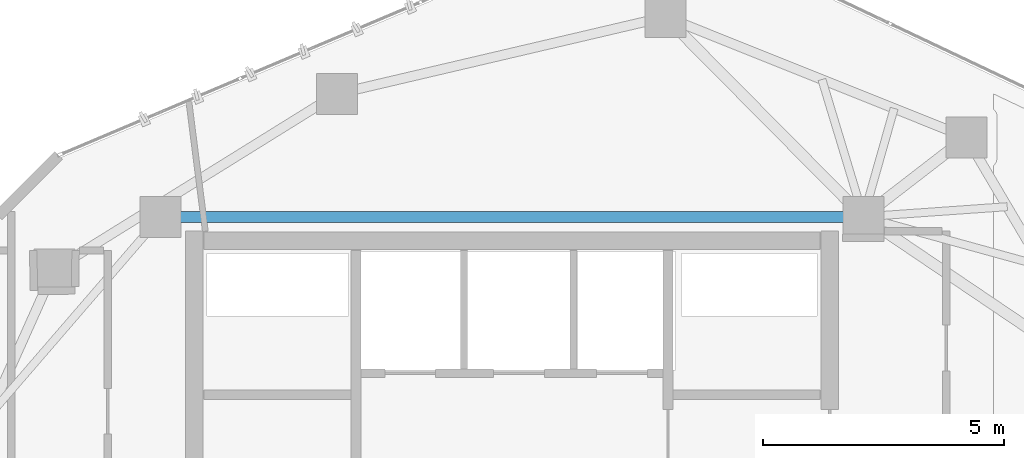
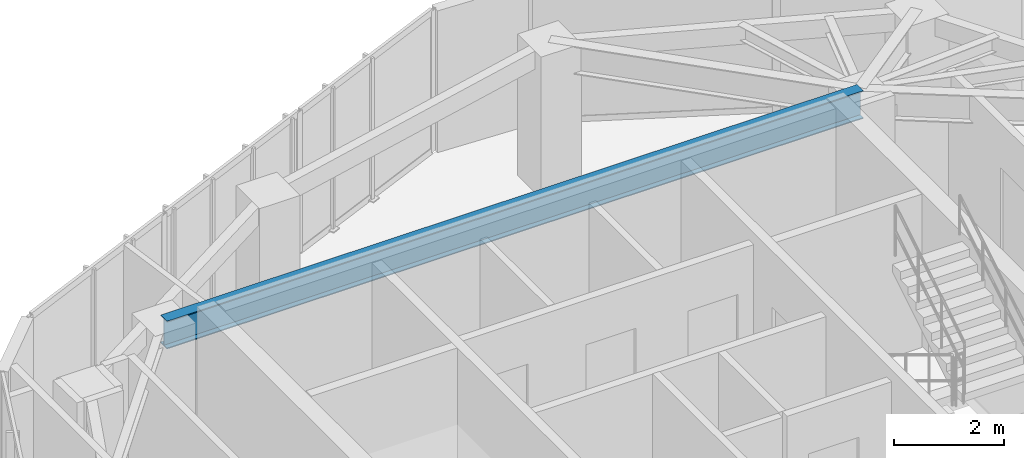
# One storey, part 10 of 20: 1 beam.
"""IFC4 building model written with IfcOpenShell, lengths in metres."""

import ifcopenshell
import ifcopenshell.guid

model = None  # the IFC model being written
_history = None  # IfcOwnerHistory: only IFC2X3 demands one
_inside = {}  # id of a spatial element -> (the spatial element, [elements in it])
_under = {}  # id of a project, library or spatial element -> (it, [spatial elements below it])
_declared = {}  # id of a project -> (the project, [libraries it declares])
_typed = {}  # id of a type object -> (the type object, [elements of that type])
_made_of = {}  # id of a material, layer set ... -> (it, [elements and type objects made of it])


def new_model(schema):
    """Start an empty IFC model of exactly this schema.

    Asked for "IFC4X3", IfcOpenShell would pick the latest addendum, in which some entities
    have other attributes; the version numbers below select the first issue.
    IFC2X3 requires an IfcOwnerHistory on every rooted entity: one is made here for all.
    """
    global model, _history
    if schema == "IFC4X3":
        model = ifcopenshell.file(schema_version=(4, 3, 0, 0))
    else:
        model = ifcopenshell.file(schema=schema)
    _inside.clear()
    _under.clear()
    _declared.clear()
    _typed.clear()
    _made_of.clear()
    _history = None
    if model.schema == "IFC2X3":
        org = make("IfcOrganization", Name="unknown")
        user = make(
            "IfcPersonAndOrganization",
            ThePerson=make("IfcPerson", FamilyName="unknown"),
            TheOrganization=org,
        )
        app = make(
            "IfcApplication",
            ApplicationDeveloper=org,
            Version="unknown",
            ApplicationFullName="unknown",
            ApplicationIdentifier="unknown",
        )
        _history = make(
            "IfcOwnerHistory",
            OwningUser=user,
            OwningApplication=app,
            ChangeAction="ADDED",
            CreationDate=0,
        )
    return model


def make(cls, **values):
    """One entity of the class cls with the attributes given. An attribute that is None is left unset."""
    return model.create_entity(
        cls, **{name: value for name, value in values.items() if value is not None}
    )


def rooted(cls, **values):
    """An entity with a GlobalId (a new one), such as an element, a storey or a relation."""
    return make(cls, GlobalId=ifcopenshell.guid.new(), OwnerHistory=_history, **values)


def si_unit(unit_type, name, prefix=None):
    """IfcSIUnit, for example si_unit("LENGTHUNIT", "METRE", prefix="MILLI")."""
    return make("IfcSIUnit", UnitType=unit_type, Prefix=prefix, Name=name)


def assignment(units):
    """IfcUnitAssignment: the units of a project."""
    return None if units is None else make("IfcUnitAssignment", Units=units)


def point(xyz):
    """IfcCartesianPoint."""
    return None if xyz is None else make("IfcCartesianPoint", Coordinates=xyz)


def direction(xyz):
    """IfcDirection."""
    return None if xyz is None else make("IfcDirection", DirectionRatios=xyz)


def frame(location, z_axis=None, x_axis=None):
    """IfcAxis2Placement3D, a coordinate frame: its origin and axes. An axis left out is left unset."""
    return make(
        "IfcAxis2Placement3D",
        Location=point(location),
        Axis=direction(z_axis),
        RefDirection=direction(x_axis),
    )


def frame_2d(location, x_axis=None):
    """IfcAxis2Placement2D, a coordinate frame in the plane: its origin and x axis."""
    return make(
        "IfcAxis2Placement2D", Location=point(location), RefDirection=direction(x_axis)
    )


def origin():
    """The frame at (0, 0, 0) with its axes left unset."""
    return frame((0.0, 0.0, 0.0))


def origin_2d():
    """The frame at (0, 0) in the plane with its x axis left unset."""
    return frame_2d((0.0, 0.0))


def place(relative_to, where):
    """IfcLocalPlacement: puts the frame where relative to a parent placement (None: the world)."""
    return make(
        "IfcLocalPlacement", PlacementRelTo=relative_to, RelativePlacement=where
    )


def context(
    kind, dimensions, precision=None, world=None, true_north=None, identifier=None
):
    """IfcGeometricRepresentationContext, for example the 3D "Model" context."""
    return make(
        "IfcGeometricRepresentationContext",
        ContextIdentifier=identifier,
        ContextType=kind,
        CoordinateSpaceDimension=dimensions,
        Precision=precision,
        WorldCoordinateSystem=world,
        TrueNorth=true_north,
    )


def subcontext(parent, identifier, kind, view, scale=None):
    """IfcGeometricRepresentationSubContext, for example "Body" below "Model"."""
    return make(
        "IfcGeometricRepresentationSubContext",
        ContextIdentifier=identifier,
        ContextType=kind,
        ParentContext=parent,
        TargetScale=scale,
        TargetView=view,
    )


def project(units=None, contexts=None):
    """IfcProject with its units and contexts."""
    return rooted(
        "IfcProject",
        Name="project",
        RepresentationContexts=contexts,
        UnitsInContext=assignment(units),
    )


def spatial(cls, under=None, at=None, **own):
    """A site, building, storey or space (cls), placed at a placement, below another one or the project."""
    s = rooted(cls, ObjectPlacement=at, **own)
    if under is not None:
        _under.setdefault(under.id(), (under, []))[1].append(s)
    return s


def profile(cls, at=None, kind="AREA", **sizes):
    """A parametric profile (cls). Its sizes go by their IFC names, for example OverallWidth=200.0."""
    return make(cls, ProfileType=kind, Position=at, **sizes)


def i_section(**sizes):
    """IfcIShapeProfileDef."""
    return profile("IfcIShapeProfileDef", **sizes)


def extrude(swept, where, along, depth):
    """IfcExtrudedAreaSolid: the profile swept, set in the frame where, extruded along a direction by depth."""
    return make(
        "IfcExtrudedAreaSolid",
        SweptArea=swept,
        Position=where,
        ExtrudedDirection=direction(along),
        Depth=depth,
    )


def shape(context_of_items, identifier, shape_type, items):
    """IfcShapeRepresentation: the items that make up one representation, for example the "Body"."""
    return make(
        "IfcShapeRepresentation",
        ContextOfItems=context_of_items,
        RepresentationIdentifier=identifier,
        RepresentationType=shape_type,
        Items=items,
    )


def material(Name=None, Category=None):
    """IfcMaterial."""
    return make("IfcMaterial", Name=Name, Category=Category)


def material_profile(
    of_material, cross_section, Name=None, Category=None, Priority=None
):
    """IfcMaterialProfile: a cross section and its material."""
    return make(
        "IfcMaterialProfile",
        Name=Name,
        Material=of_material,
        Profile=cross_section,
        Priority=Priority,
        Category=Category,
    )


def profile_set(profiles, Name=None, composite=None):
    """IfcMaterialProfileSet."""
    return make(
        "IfcMaterialProfileSet",
        Name=Name,
        MaterialProfiles=profiles,
        CompositeProfile=composite,
    )


def made_of(thing, what):
    """Note that an element or type object is made of a material, layer set ...; save() writes the relation."""
    if what is not None:
        _made_of.setdefault(what.id(), (what, []))[1].append(thing)
    return thing


def type_object(cls, material=None, **own):
    """A type object (cls), such as IfcWallType, which elements share."""
    return made_of(rooted(cls, **own), material)


def element(
    cls,
    number,
    at=None,
    inside=None,
    cuts=None,
    type_object=None,
    material=None,
    context=None,
    identifier="Body",
    shape_type=None,
    held_by="IfcProductDefinitionShape",
    body=None,
    shapes=None,
    **own,
):
    """One element of the class cls, such as IfcWall. Its Tag is "e" and its number.

    at: its placement. inside: the storey or other place that contains it. cuts: it is an
    opening in that element (IfcRelVoidsElement). A single representation is given by context,
    identifier, shape_type and body (its items); several are given by shapes. held_by: the class
    of the entity that holds the representations. save() writes the other relations.
    """
    e = rooted(cls, Tag="e%d" % number, ObjectPlacement=at, **own)
    if body is not None:
        shapes = [shape(context, identifier, shape_type, body)]
    if shapes is not None:
        e.Representation = make(held_by, Representations=shapes)
    if inside is not None:
        _inside.setdefault(inside.id(), (inside, []))[1].append(e)
    if cuts is not None:
        rooted(
            "IfcRelVoidsElement", RelatingBuildingElement=cuts, RelatedOpeningElement=e
        )
    if type_object is not None:
        _typed.setdefault(type_object.id(), (type_object, []))[1].append(e)
    return made_of(e, material)


def aggregate(whole, parts):
    """IfcRelAggregates: a whole, such as a stair, and the parts it consists of."""
    return rooted("IfcRelAggregates", RelatingObject=whole, RelatedObjects=parts)


def save(model, path):
    """Write the relations noted so far, then the file.

    IfcRelAggregates (storeys below a building ...), IfcRelContainedInSpatialStructure (elements
    in a storey), IfcRelDefinesByType, IfcRelAssociatesMaterial and IfcRelDeclares: one each for
    every whole, place, type object, material and project.
    """
    for whole, parts in _under.values():
        aggregate(whole, parts)
    for where, things in _inside.values():
        rooted(
            "IfcRelContainedInSpatialStructure",
            RelatedElements=things,
            RelatingStructure=where,
        )
    for kind, things in _typed.values():
        rooted("IfcRelDefinesByType", RelatedObjects=things, RelatingType=kind)
    for what, things in _made_of.values():
        rooted("IfcRelAssociatesMaterial", RelatedObjects=things, RelatingMaterial=what)
    for by, libraries in _declared.values():
        rooted("IfcRelDeclares", RelatingContext=by, RelatedDefinitions=libraries)
    model.write(path)


model = new_model("IFC4")

# Units and contexts
model_context = context("Model", 3, precision=1e-05, world=origin(), true_north=direction((0.0, 1.0)))
body_context = subcontext(model_context, "Body", "Model", "MODEL_VIEW")
ifc_project = project(units=[si_unit("LENGTHUNIT", "METRE"), si_unit("AREAUNIT", "SQUARE_METRE"), si_unit("VOLUMEUNIT", "CUBIC_METRE"), si_unit("PLANEANGLEUNIT", "RADIAN"), si_unit("MASSUNIT", "GRAM", prefix="KILO")], contexts=[model_context])

# Site, building, storey
site_placement = place(None, origin())
site = spatial("IfcSite", under=ifc_project, at=site_placement, CompositionType="ELEMENT")
building_placement = place(site_placement, origin())
building = spatial("IfcBuilding", under=site, at=building_placement, Name="Talar Marvaseh", CompositionType="ELEMENT")
storey_placement = place(building_placement, frame((0.0, 0.0, 274.800048828125)))
storey = spatial("IfcBuildingStorey", under=building, at=storey_placement, Name="L73", CompositionType="ELEMENT", Elevation=274.800048828125)

# Beam
ifc_material = material(Name="Steel S355", Category="steel")
ifc_material_profile = material_profile(ifc_material, i_section(OverallWidth=0.22998046875, OverallDepth=0.616943359375, WebThickness=0.01318359375, FlangeThickness=0.022216796875, at=origin_2d()), Name="W610x140")
ifc_profile_set = profile_set([ifc_material_profile], Name="Steel S355")
beam_type = type_object("IfcBeamType", Name="Zone 4 Radial Floor Girder W610x140", PredefinedType="BEAM", material=ifc_profile_set)
beam_placement = place(storey_placement, frame((18.699951171875, 36.89990234375, 2.83154296875), z_axis=(1.0, 0.0, 0.0), x_axis=(0.0, 1.0, 0.0)))
element("IfcBeam", 1, at=beam_placement, inside=storey, type_object=beam_type, Name="L73 Zone 4 Radial Floor Girder W610x140", PredefinedType="BEAM", context=body_context, shape_type="SweptSolid", body=[
    extrude(i_section(OverallWidth=0.22998046875, OverallDepth=0.616943359375, WebThickness=0.01318359375, FlangeThickness=0.022216796875, at=origin_2d()), origin(), (0.0, 0.0, 1.0), 14.60009765625),
])

save(model, "model.ifc")
